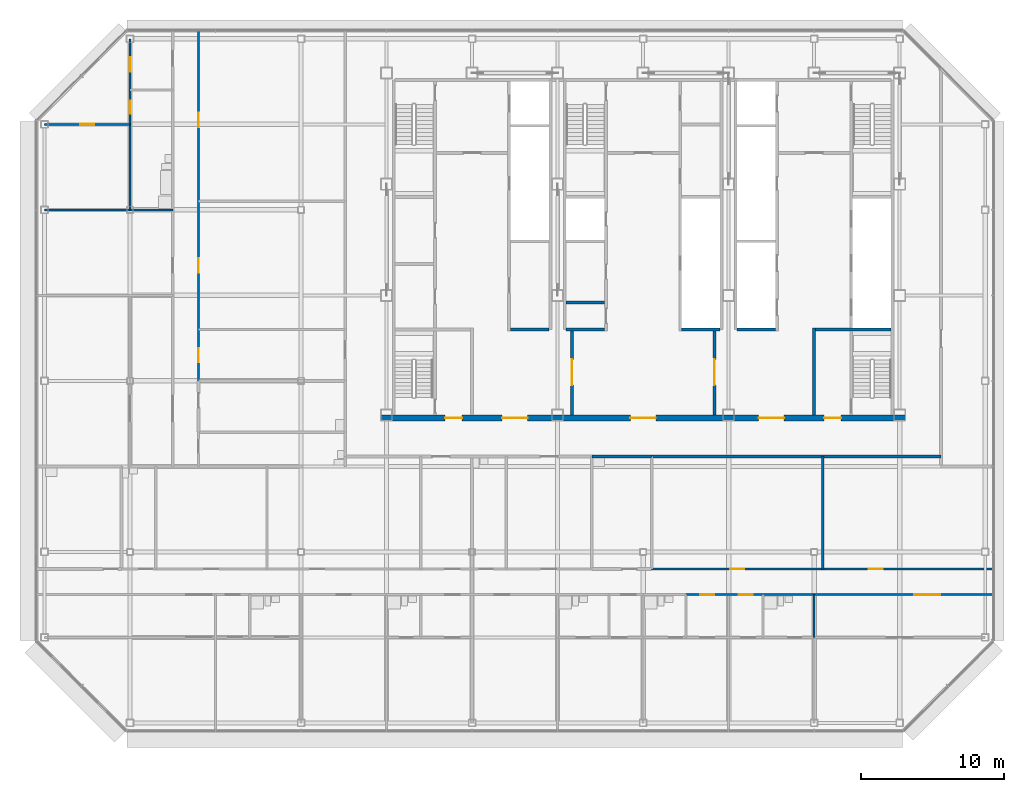
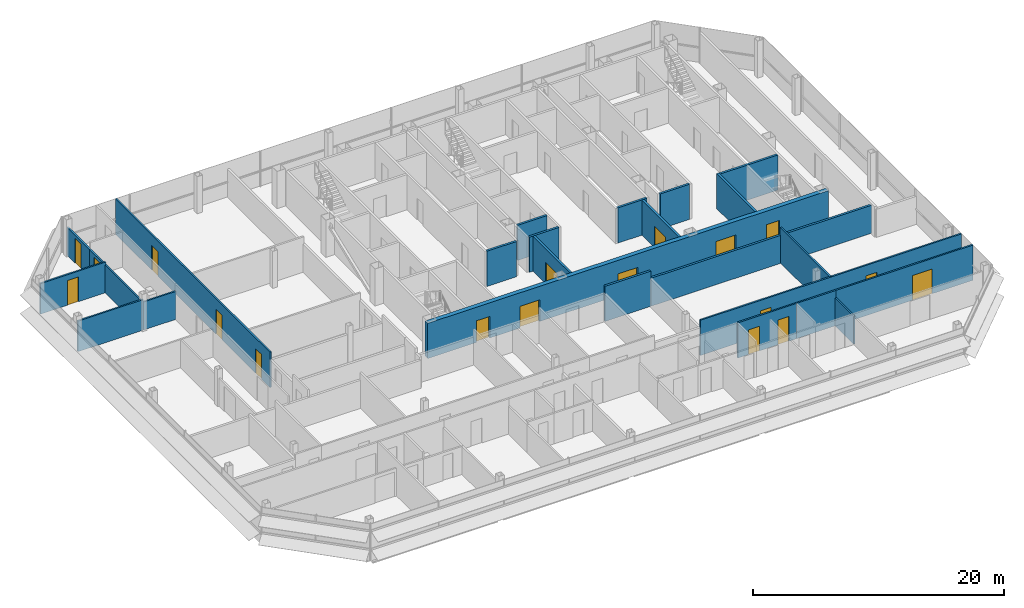
# One storey, part 23 of 28: 24 walls, 18 doors, 18 openings.
"""IFC4 building model written with IfcOpenShell, lengths in metres."""

from ifc_helpers import new_model, si_unit, direction, frame, frame_2d, origin, place, context, subcontext, project, spatial, rectangle, extrude, material, layer, layer_set, type_object, element, fill, save


model = new_model("IFC4")

# Units and contexts
model_context = context("Model", 3, precision=1e-05, world=origin(), true_north=direction((0.0, 1.0)))
body_context = subcontext(model_context, "Body", "Model", "MODEL_VIEW")
ifc_project = project(units=[si_unit("LENGTHUNIT", "METRE"), si_unit("AREAUNIT", "SQUARE_METRE"), si_unit("VOLUMEUNIT", "CUBIC_METRE"), si_unit("PLANEANGLEUNIT", "RADIAN"), si_unit("MASSUNIT", "GRAM", prefix="KILO")], contexts=[model_context])

# Site, building, storey
site_placement = place(None, origin())
site = spatial("IfcSite", under=ifc_project, at=site_placement, CompositionType="ELEMENT")
building_placement = place(site_placement, origin())
building = spatial("IfcBuilding", under=site, at=building_placement, Name="Sorahane Residences", CompositionType="ELEMENT")
storey_placement = place(building_placement, frame((0.0, 0.0, 305.199951171875)))
storey = spatial("IfcBuildingStorey", under=building, at=storey_placement, Name="L72", CompositionType="ELEMENT", Elevation=305.199951171875)

# Walls
ifc_material_1 = material(Name="Concrete blockwork C20 wall", Category="masonry")
ifc_layer_1 = layer(ifc_material_1, 0.199951171875)
ifc_layer_set_1 = layer_set([ifc_layer_1], Name="Corridor wall 200 EI 120")
wall_type_1 = type_object("IfcWallType", Name="Corridor wall 200 EI 120", PredefinedType="SOLIDWALL", material=ifc_layer_set_1)
wall_1_placement = place(storey_placement, frame((24.60009765625, 18.699951171875, 0.0), z_axis=(0.0, 0.0, 1.0), x_axis=(1.0, 0.0, 0.0)))
element("IfcWall", 1, at=wall_1_placement, inside=storey, type_object=wall_type_1, Name="L72 corridor wall", PredefinedType="SOLIDWALL", context=body_context, shape_type="SweptSolid", body=[
    extrude(rectangle(XDim=20.2998046875, YDim=0.199951171875, at=frame_2d((10.14990234375, 0.0))), origin(), (0.0, 0.0, 1.0), 2.719970703125),
])
ifc_material_2 = material(Name="Concrete C30", Category="concrete")
ifc_layer_2 = layer(ifc_material_2, 0.199951171875)
ifc_layer_set_2 = layer_set([ifc_layer_2], Name="Front room wall 200 EI 120")
wall_type_2 = type_object("IfcWallType", Name="Front room wall 200 EI 120", PredefinedType="PARTITIONING", material=ifc_layer_set_2)
wall_2_placement = place(storey_placement, frame((36.0, 21.60009765625, 0.0), z_axis=(0.0, 0.0, 1.0), x_axis=(0.0, 1.0, 0.0)))
element("IfcWall", 2, at=wall_2_placement, inside=storey, type_object=wall_type_2, Name="L72 front room wall", PredefinedType="PARTITIONING", context=body_context, shape_type="SweptSolid", body=[
    extrude(rectangle(XDim=6.099853515625, YDim=0.199951171875, at=frame_2d((3.0498046875, 0.0))), origin(), (0.0, 0.0, 1.0), 3.420166015625),
])
ifc_material_3 = material(Name="Concrete blockwork C20 wall", Category="masonry")
ifc_layer_3 = layer(ifc_material_3, 0.199951171875)
ifc_layer_set_3 = layer_set([ifc_layer_3], Name="Kitchen wall 200 EI 180")
wall_type_3 = type_object("IfcWallType", Name="Kitchen wall 200 EI 180", PredefinedType="SOLIDWALL", material=ifc_layer_set_3)
wall_3_placement = place(storey_placement, frame((20.39990234375, 18.699951171875, 0.0), z_axis=(0.0, 0.0, 1.0), x_axis=(1.0, 0.0, 0.0)))
element("IfcWall", 3, at=wall_3_placement, inside=storey, type_object=wall_type_3, Name="L72 kitchen wall", PredefinedType="SOLIDWALL", context=body_context, shape_type="SweptSolid", body=[
    extrude(rectangle(XDim=4.2001953125, YDim=0.199951171875, at=frame_2d((2.10009765625, 0.0))), origin(), (0.0, 0.0, 1.0), 3.420166015625),
])
ifc_material_4 = material(Name="Concrete C30", Category="concrete")
ifc_layer_4 = layer(ifc_material_4, 0.199951171875)
ifc_layer_set_4 = layer_set([ifc_layer_4], Name="Lift shaft wall 200 EI 120")
wall_type_4 = type_object("IfcWallType", Name="Lift shaft wall 200 EI 120", PredefinedType="SOLIDWALL", material=ifc_layer_set_4)
wall_4_placement = place(storey_placement, frame((30.60009765625, 27.60009765625, 0.0), z_axis=(0.0, 0.0, 1.0), x_axis=(1.0, 0.0, 0.0)))
element("IfcWall", 4, at=wall_4_placement, inside=storey, type_object=wall_type_4, Name="L72 lift shaft wall", PredefinedType="SOLIDWALL", context=body_context, shape_type="SweptSolid", body=[
    extrude(rectangle(XDim=2.699951171875, YDim=0.199951171875, at=frame_2d((1.35009765625, 0.0))), origin(), (0.0, 0.0, 1.0), 3.420166015625),
])

# Wall, opening, door
ifc_material_5 = material(Name="Gypsum board partition on steel studs", Category="steel")
ifc_layer_5 = layer(ifc_material_5, 0.14990234375)
ifc_layer_set_5 = layer_set([ifc_layer_5], Name="Partition 150 EI 90")
wall_type_5 = type_object("IfcWallType", Name="Partition 150 EI 90", PredefinedType="PARTITIONING", material=ifc_layer_set_5)
wall_5_placement = place(storey_placement, frame((-12.0, 44.39990234375, 0.0), z_axis=(0.0, 0.0, 1.0), x_axis=(0.0, 1.0, 0.0)))
wall_5 = element("IfcWall", 5, at=wall_5_placement, inside=storey, type_object=wall_type_5, Name="L72 partition", PredefinedType="PARTITIONING", context=body_context, shape_type="SweptSolid", body=[
    extrude(rectangle(XDim=3.60009765625, YDim=0.14990234375, at=frame_2d((1.800048828125, 0.0))), origin(), (0.0, 0.0, 1.0), 2.719970703125),
])
opening_1_placement = place(wall_5_placement, frame((1.300048828125, 0.0, 0.0)))
opening_1 = element("IfcOpeningElement", 6, at=opening_1_placement, cuts=wall_5, Name="Opening L72-41", PredefinedType="OPENING", context=body_context, shape_type="SweptSolid", body=[
    extrude(rectangle(XDim=1.0, YDim=2.39990234375, at=frame_2d((0.5, 1.199951171875))), frame((0.0, 0.0849609375, 0.0), z_axis=(0.0, -1.0, 0.0), x_axis=(1.0, 0.0, 0.0)), (0.0, 0.0, 1.0), 0.169921875),
])
ifc_material_6 = material(Name="Timber veneered fire door", Category="wood")
door_type_1 = type_object("IfcDoorType", Name="Room door 1000x2400 FD30", OperationType="NOTDEFINED", PredefinedType="DOOR", material=ifc_material_6)
door_1_placement = place(opening_1_placement, origin())
door_1 = element("IfcDoor", 7, at=door_1_placement, inside=storey, type_object=door_type_1, Name="Room door L72-41", OperationType="SINGLE_SWING_LEFT", OverallHeight=2.39990234375, OverallWidth=1.0, PredefinedType="DOOR", context=body_context, shape_type="SweptSolid", body=[
    extrude(rectangle(XDim=1.0, YDim=2.39990234375, at=frame_2d((0.5, 1.199951171875))), frame((0.0, 0.02490234375, 0.0), z_axis=(0.0, -1.0, 0.0), x_axis=(1.0, 0.0, 0.0)), (0.0, 0.0, 1.0), 0.050048828125),
])
fill(opening_1, door_1)

# Wall, openings, doors
wall_6_placement = place(storey_placement, frame((-7.199951171875, 24.0, 0.0), z_axis=(0.0, 0.0, 1.0), x_axis=(0.0, 1.0, 0.0)))
wall_6 = element("IfcWall", 8, at=wall_6_placement, inside=storey, type_object=wall_type_5, Name="L72 partition", PredefinedType="PARTITIONING", context=body_context, shape_type="SweptSolid", body=[
    extrude(rectangle(XDim=24.60009765625, YDim=0.14990234375, at=frame_2d((12.300048828125, 0.0))), origin(), (0.0, 0.0, 1.0), 3.420166015625),
])
opening_2_placement = place(wall_6_placement, frame((1.300048828125, 0.0, 0.0)))
opening_2 = element("IfcOpeningElement", 9, at=opening_2_placement, cuts=wall_6, Name="Opening L72-32", PredefinedType="OPENING", context=body_context, shape_type="SweptSolid", body=[
    extrude(rectangle(XDim=1.0, YDim=2.39990234375, at=frame_2d((0.5, 1.199951171875))), frame((0.0, 0.0849609375, 0.0), z_axis=(0.0, -1.0, 0.0), x_axis=(1.0, 0.0, 0.0)), (0.0, 0.0, 1.0), 0.169921875),
])
opening_3_placement = place(wall_6_placement, frame((7.60009765625, 0.0, 0.0)))
opening_3 = element("IfcOpeningElement", 10, at=opening_3_placement, cuts=wall_6, Name="Opening L72-35", PredefinedType="OPENING", context=body_context, shape_type="SweptSolid", body=[
    extrude(rectangle(XDim=1.0, YDim=2.39990234375, at=frame_2d((0.5, 1.199951171875))), frame((0.0, 0.0849609375, 0.0), z_axis=(0.0, -1.0, 0.0), x_axis=(1.0, 0.0, 0.0)), (0.0, 0.0, 1.0), 0.169921875),
])
opening_4_placement = place(wall_6_placement, frame((17.800048828125, 0.0, 0.0)))
opening_4 = element("IfcOpeningElement", 11, at=opening_4_placement, cuts=wall_6, Name="Opening L72-36", PredefinedType="OPENING", context=body_context, shape_type="SweptSolid", body=[
    extrude(rectangle(XDim=1.0, YDim=2.39990234375, at=frame_2d((0.5, 1.199951171875))), frame((0.0, 0.0849609375, 0.0), z_axis=(0.0, -1.0, 0.0), x_axis=(1.0, 0.0, 0.0)), (0.0, 0.0, 1.0), 0.169921875),
])
door_2_placement = place(opening_2_placement, origin())
door_2 = element("IfcDoor", 12, at=door_2_placement, inside=storey, type_object=door_type_1, Name="Room door L72-32", OperationType="SINGLE_SWING_RIGHT", OverallHeight=2.39990234375, OverallWidth=1.0, PredefinedType="DOOR", context=body_context, shape_type="SweptSolid", body=[
    extrude(rectangle(XDim=1.0, YDim=2.39990234375, at=frame_2d((0.5, 1.199951171875))), frame((0.0, 0.02490234375, 0.0), z_axis=(0.0, -1.0, 0.0), x_axis=(1.0, 0.0, 0.0)), (0.0, 0.0, 1.0), 0.050048828125),
])
fill(opening_2, door_2)
door_3_placement = place(opening_3_placement, frame((1.0, 0.0, 0.0), z_axis=(0.0, 0.0, 1.0), x_axis=(-1.0, 0.0, 0.0)))
door_3 = element("IfcDoor", 13, at=door_3_placement, inside=storey, type_object=door_type_1, Name="Room door L72-35", OperationType="SINGLE_SWING_RIGHT", OverallHeight=2.39990234375, OverallWidth=1.0, PredefinedType="DOOR", context=body_context, shape_type="SweptSolid", body=[
    extrude(rectangle(XDim=1.0, YDim=2.39990234375, at=frame_2d((0.5, 1.199951171875))), frame((0.0, 0.02490234375, 0.0), z_axis=(0.0, -1.0, 0.0), x_axis=(1.0, 0.0, 0.0)), (0.0, 0.0, 1.0), 0.050048828125),
])
fill(opening_3, door_3)
door_4_placement = place(opening_4_placement, frame((1.0, 0.0, 0.0), z_axis=(0.0, 0.0, 1.0), x_axis=(-1.0, 0.0, 0.0)))
door_4 = element("IfcDoor", 14, at=door_4_placement, inside=storey, type_object=door_type_1, Name="Room door L72-36", OperationType="SINGLE_SWING_LEFT", OverallHeight=2.39990234375, OverallWidth=1.0, PredefinedType="DOOR", context=body_context, shape_type="SweptSolid", body=[
    extrude(rectangle(XDim=1.0, YDim=2.39990234375, at=frame_2d((0.5, 1.199951171875))), frame((0.0, 0.02490234375, 0.0), z_axis=(0.0, -1.0, 0.0), x_axis=(1.0, 0.0, 0.0)), (0.0, 0.0, 1.0), 0.050048828125),
])
fill(opening_4, door_4)

# Wall
wall_7_placement = place(storey_placement, frame((36.60009765625, 10.800048828125, 0.0), z_axis=(0.0, 0.0, 1.0), x_axis=(0.0, 1.0, 0.0)))
element("IfcWall", 15, at=wall_7_placement, inside=storey, type_object=wall_type_5, Name="L72 partition", PredefinedType="PARTITIONING", context=body_context, shape_type="SweptSolid", body=[
    extrude(rectangle(XDim=7.89990234375, YDim=0.14990234375, at=frame_2d((3.949951171875, 0.0))), origin(), (0.0, 0.0, 1.0), 3.420166015625),
])

# Wall, openings, doors
wall_8_placement = place(storey_placement, frame((24.60009765625, 10.800048828125, 0.0), z_axis=(0.0, 0.0, 1.0), x_axis=(1.0, 0.0, 0.0)))
wall_8 = element("IfcWall", 16, at=wall_8_placement, inside=storey, type_object=wall_type_5, Name="L72 partition", PredefinedType="PARTITIONING", context=body_context, shape_type="SweptSolid", body=[
    extrude(rectangle(XDim=24.0, YDim=0.14990234375, at=frame_2d((12.0, 0.0))), origin(), (0.0, 0.0, 1.0), 3.420166015625),
])
opening_5_placement = place(wall_8_placement, frame((5.5, 0.0, 0.0)))
opening_5 = element("IfcOpeningElement", 17, at=opening_5_placement, cuts=wall_8, Name="Opening L72-18", PredefinedType="OPENING", context=body_context, shape_type="SweptSolid", body=[
    extrude(rectangle(XDim=1.0, YDim=2.39990234375, at=frame_2d((0.5, 1.199951171875))), frame((0.0, 0.0849609375, 0.0), z_axis=(0.0, -1.0, 0.0), x_axis=(1.0, 0.0, 0.0)), (0.0, 0.0, 1.0), 0.169921875),
])
opening_6_placement = place(wall_8_placement, frame((15.219970703125, 0.0, 0.0)))
opening_6 = element("IfcOpeningElement", 18, at=opening_6_placement, cuts=wall_8, Name="Opening L72-19", PredefinedType="OPENING", context=body_context, shape_type="SweptSolid", body=[
    extrude(rectangle(XDim=1.0, YDim=2.39990234375, at=frame_2d((0.5, 1.199951171875))), frame((0.0, 0.0849609375, 0.0), z_axis=(0.0, -1.0, 0.0), x_axis=(1.0, 0.0, 0.0)), (0.0, 0.0, 1.0), 0.169921875),
])
door_5_placement = place(opening_5_placement, origin())
door_5 = element("IfcDoor", 19, at=door_5_placement, inside=storey, type_object=door_type_1, Name="Room door L72-18", OperationType="SINGLE_SWING_RIGHT", OverallHeight=2.39990234375, OverallWidth=1.0, PredefinedType="DOOR", context=body_context, shape_type="SweptSolid", body=[
    extrude(rectangle(XDim=1.0, YDim=2.39990234375, at=frame_2d((0.5, 1.199951171875))), frame((0.0, 0.02490234375, 0.0), z_axis=(0.0, -1.0, 0.0), x_axis=(1.0, 0.0, 0.0)), (0.0, 0.0, 1.0), 0.050048828125),
])
fill(opening_5, door_5)
door_6_placement = place(opening_6_placement, origin())
door_6 = element("IfcDoor", 20, at=door_6_placement, inside=storey, type_object=door_type_1, Name="Room door L72-19", OperationType="SINGLE_SWING_RIGHT", OverallHeight=2.39990234375, OverallWidth=1.0, PredefinedType="DOOR", context=body_context, shape_type="SweptSolid", body=[
    extrude(rectangle(XDim=1.0, YDim=2.39990234375, at=frame_2d((0.5, 1.199951171875))), frame((0.0, 0.02490234375, 0.0), z_axis=(0.0, -1.0, 0.0), x_axis=(1.0, 0.0, 0.0)), (0.0, 0.0, 1.0), 0.050048828125),
])
fill(opening_6, door_6)

# Wall
wall_9_placement = place(storey_placement, frame((-18.0, 36.0, 0.0), z_axis=(0.0, 0.0, 1.0), x_axis=(1.0, 0.0, 0.0)))
element("IfcWall", 21, at=wall_9_placement, inside=storey, type_object=wall_type_5, Name="L72 partition", PredefinedType="PARTITIONING", context=body_context, shape_type="SweptSolid", body=[
    extrude(rectangle(XDim=6.0, YDim=0.14990234375, at=frame_2d((3.0, 0.0))), origin(), (0.0, 0.0, 1.0), 2.969970703125),
])

# Wall, opening, door
wall_10_placement = place(storey_placement, frame((-18.0, 42.0, 0.0), z_axis=(0.0, 0.0, 1.0), x_axis=(1.0, 0.0, 0.0)))
wall_10 = element("IfcWall", 22, at=wall_10_placement, inside=storey, type_object=wall_type_5, Name="L72 partition", PredefinedType="PARTITIONING", context=body_context, shape_type="SweptSolid", body=[
    extrude(rectangle(XDim=6.0, YDim=0.14990234375, at=frame_2d((3.0, 0.0))), origin(), (0.0, 0.0, 1.0), 2.969970703125),
])
opening_7_placement = place(wall_10_placement, frame((2.5, 0.0, 0.0)))
opening_7 = element("IfcOpeningElement", 23, at=opening_7_placement, cuts=wall_10, Name="Opening L72-42", PredefinedType="OPENING", context=body_context, shape_type="SweptSolid", body=[
    extrude(rectangle(XDim=1.0, YDim=2.39990234375, at=frame_2d((0.5, 1.199951171875))), frame((0.0, 0.0849609375, 0.0), z_axis=(0.0, -1.0, 0.0), x_axis=(1.0, 0.0, 0.0)), (0.0, 0.0, 1.0), 0.169921875),
])
door_7_placement = place(opening_7_placement, frame((1.0, 0.0, 0.0), z_axis=(0.0, 0.0, 1.0), x_axis=(-1.0, 0.0, 0.0)))
door_7 = element("IfcDoor", 24, at=door_7_placement, inside=storey, type_object=door_type_1, Name="Room door L72-42", OperationType="SINGLE_SWING_LEFT", OverallHeight=2.39990234375, OverallWidth=1.0, PredefinedType="DOOR", context=body_context, shape_type="SweptSolid", body=[
    extrude(rectangle(XDim=1.0, YDim=2.39990234375, at=frame_2d((0.5, 1.199951171875))), frame((0.0, 0.02490234375, 0.0), z_axis=(0.0, -1.0, 0.0), x_axis=(1.0, 0.0, 0.0)), (0.0, 0.0, 1.0), 0.050048828125),
])
fill(opening_7, door_7)

# Wall, openings, doors
wall_11_placement = place(storey_placement, frame((27.0, 9.0, 0.0), z_axis=(0.0, 0.0, 1.0), x_axis=(1.0, 0.0, 0.0)))
wall_11 = element("IfcWall", 25, at=wall_11_placement, inside=storey, type_object=wall_type_5, Name="L72 partition", PredefinedType="PARTITIONING", context=body_context, shape_type="SweptSolid", body=[
    extrude(rectangle(XDim=5.39990234375, YDim=0.14990234375, at=frame_2d((2.699951171875, 0.0))), origin(), (0.0, 0.0, 1.0), 3.420166015625),
])
opening_8_placement = place(wall_11_placement, frame((1.0, 0.0, 0.0)))
opening_8 = element("IfcOpeningElement", 26, at=opening_8_placement, cuts=wall_11, Name="Opening L72-22", PredefinedType="OPENING", context=body_context, shape_type="SweptSolid", body=[
    extrude(rectangle(XDim=1.0, YDim=2.39990234375, at=frame_2d((0.5, 1.199951171875))), frame((0.0, 0.0849609375, 0.0), z_axis=(0.0, -1.0, 0.0), x_axis=(1.0, 0.0, 0.0)), (0.0, 0.0, 1.0), 0.169921875),
])
opening_9_placement = place(wall_11_placement, frame((3.699951171875, 0.0, 0.0)))
opening_9 = element("IfcOpeningElement", 27, at=opening_9_placement, cuts=wall_11, Name="Opening L72-23", PredefinedType="OPENING", context=body_context, shape_type="SweptSolid", body=[
    extrude(rectangle(XDim=1.0, YDim=2.39990234375, at=frame_2d((0.5, 1.199951171875))), frame((0.0, 0.0849609375, 0.0), z_axis=(0.0, -1.0, 0.0), x_axis=(1.0, 0.0, 0.0)), (0.0, 0.0, 1.0), 0.169921875),
])
door_8_placement = place(opening_8_placement, frame((1.0, 0.0, 0.0), z_axis=(0.0, 0.0, 1.0), x_axis=(-1.0, 0.0, 0.0)))
door_8 = element("IfcDoor", 28, at=door_8_placement, inside=storey, type_object=door_type_1, Name="Room door L72-22", OperationType="SINGLE_SWING_LEFT", OverallHeight=2.39990234375, OverallWidth=1.0, PredefinedType="DOOR", context=body_context, shape_type="SweptSolid", body=[
    extrude(rectangle(XDim=1.0, YDim=2.39990234375, at=frame_2d((0.5, 1.199951171875))), frame((0.0, 0.02490234375, 0.0), z_axis=(0.0, -1.0, 0.0), x_axis=(1.0, 0.0, 0.0)), (0.0, 0.0, 1.0), 0.050048828125),
])
fill(opening_8, door_8)
door_9_placement = place(opening_9_placement, frame((1.0, 0.0, 0.0), z_axis=(0.0, 0.0, 1.0), x_axis=(-1.0, 0.0, 0.0)))
door_9 = element("IfcDoor", 29, at=door_9_placement, inside=storey, type_object=door_type_1, Name="Room door L72-23", OperationType="SINGLE_SWING_LEFT", OverallHeight=2.39990234375, OverallWidth=1.0, PredefinedType="DOOR", context=body_context, shape_type="SweptSolid", body=[
    extrude(rectangle(XDim=1.0, YDim=2.39990234375, at=frame_2d((0.5, 1.199951171875))), frame((0.0, 0.02490234375, 0.0), z_axis=(0.0, -1.0, 0.0), x_axis=(1.0, 0.0, 0.0)), (0.0, 0.0, 1.0), 0.050048828125),
])
fill(opening_9, door_9)

# Wall, opening, door
wall_12_placement = place(storey_placement, frame((36.0, 9.0, 0.0), z_axis=(0.0, 0.0, 1.0), x_axis=(1.0, 0.0, 0.0)))
wall_12 = element("IfcWall", 30, at=wall_12_placement, inside=storey, type_object=wall_type_5, Name="L72 partition", PredefinedType="PARTITIONING", context=body_context, shape_type="SweptSolid", body=[
    extrude(rectangle(XDim=12.60009765625, YDim=0.14990234375, at=frame_2d((6.300048828125, 0.0))), origin(), (0.0, 0.0, 1.0), 3.420166015625),
])
opening_10_placement = place(wall_12_placement, frame((7.0400390625, 0.0, 0.0)))
opening_10 = element("IfcOpeningElement", 31, at=opening_10_placement, cuts=wall_12, Name="Opening L72-24", PredefinedType="OPENING", context=body_context, shape_type="SweptSolid", body=[
    extrude(rectangle(XDim=1.800048828125, YDim=2.39990234375, at=frame_2d((0.89990234375, 1.199951171875))), frame((0.0, 0.0849609375, 0.0), z_axis=(0.0, -1.0, 0.0), x_axis=(1.0, 0.0, 0.0)), (0.0, 0.0, 1.0), 0.169921875),
])
ifc_material_7 = material(Name="Timber veneered fire door", Category="wood")
door_type_2 = type_object("IfcDoorType", Name="Double door 1800x2400 FD30", OperationType="NOTDEFINED", PredefinedType="DOOR", material=ifc_material_7)
door_10_placement = place(opening_10_placement, frame((1.800048828125, 0.0, 0.0), z_axis=(0.0, 0.0, 1.0), x_axis=(-1.0, 0.0, 0.0)))
door_10 = element("IfcDoor", 32, at=door_10_placement, inside=storey, type_object=door_type_2, Name="Double door L72-24", OperationType="SINGLE_SWING_LEFT", OverallHeight=2.39990234375, OverallWidth=1.800048828125, PredefinedType="DOOR", context=body_context, shape_type="SweptSolid", body=[
    extrude(rectangle(XDim=1.800048828125, YDim=2.39990234375, at=frame_2d((0.89990234375, 1.199951171875))), frame((0.0, 0.02490234375, 0.0), z_axis=(0.0, -1.0, 0.0), x_axis=(1.0, 0.0, 0.0)), (0.0, 0.0, 1.0), 0.050048828125),
])
fill(opening_10, door_10)

# Wall
ifc_material_8 = material(Name="Concrete C30", Category="concrete")
ifc_layer_6 = layer(ifc_material_8, 0.199951171875)
ifc_layer_set_6 = layer_set([ifc_layer_6], Name="Riser shaft wall 200 EI 120")
wall_type_6 = type_object("IfcWallType", Name="Riser shaft wall 200 EI 120", PredefinedType="SOLIDWALL", material=ifc_layer_set_6)
wall_13_placement = place(storey_placement, frame((26.699951171875, 27.60009765625, 0.0), z_axis=(0.0, 0.0, 1.0), x_axis=(1.0, 0.0, 0.0)))
element("IfcWall", 33, at=wall_13_placement, inside=storey, type_object=wall_type_6, Name="L72 riser wall", PredefinedType="SOLIDWALL", context=body_context, shape_type="SweptSolid", body=[
    extrude(rectangle(XDim=2.699951171875, YDim=0.199951171875, at=frame_2d((1.35009765625, 0.0))), origin(), (0.0, 0.0, 1.0), 3.420166015625),
])

# Wall, opening, door
ifc_material_9 = material(Name="Concrete C30", Category="concrete")
ifc_layer_7 = layer(ifc_material_9, 0.199951171875)
ifc_layer_set_7 = layer_set([ifc_layer_7], Name="Service room partition 200 EI 60")
wall_type_7 = type_object("IfcWallType", Name="Service room partition 200 EI 60", PredefinedType="PARTITIONING", material=ifc_layer_set_7)
wall_14_placement = place(storey_placement, frame((19.0, 21.60009765625, 0.0), z_axis=(0.0, 0.0, 1.0), x_axis=(0.0, 1.0, 0.0)))
wall_14 = element("IfcWall", 34, at=wall_14_placement, inside=storey, type_object=wall_type_7, Name="L72 service room wall", PredefinedType="PARTITIONING", context=body_context, shape_type="SweptSolid", body=[
    extrude(rectangle(XDim=6.0, YDim=0.199951171875, at=frame_2d((3.0, 0.0))), origin(), (0.0, 0.0, 1.0), 3.420166015625),
])
opening_11_placement = place(wall_14_placement, frame((2.10009765625, 0.0, 0.0)))
opening_11 = element("IfcOpeningElement", 35, at=opening_11_placement, cuts=wall_14, Name="Opening L72-C02", PredefinedType="OPENING", context=body_context, shape_type="SweptSolid", body=[
    extrude(rectangle(XDim=1.800048828125, YDim=2.10009765625, at=frame_2d((0.89990234375, 1.050048828125))), frame((0.0, 0.10986328125, 0.0), z_axis=(0.0, -1.0, 0.0), x_axis=(1.0, 0.0, 0.0)), (0.0, 0.0, 1.0), 0.219970703125),
])
ifc_material_10 = material(Name="Steel", Category="steel")
door_type_3 = type_object("IfcDoorType", Name="Waiting hall door 1800x2100 FD60", OperationType="NOTDEFINED", PredefinedType="DOOR", material=ifc_material_10)
door_11_placement = place(opening_11_placement, origin())
door_11 = element("IfcDoor", 36, at=door_11_placement, inside=storey, type_object=door_type_3, Name="Waiting hall door Residents' waiting hall west L72", OperationType="SINGLE_SWING_LEFT", OverallHeight=2.10009765625, OverallWidth=1.800048828125, PredefinedType="DOOR", context=body_context, shape_type="SweptSolid", body=[
    extrude(rectangle(XDim=1.800048828125, YDim=2.10009765625, at=frame_2d((0.89990234375, 1.050048828125))), frame((0.0, 0.02490234375, 0.0), z_axis=(0.0, -1.0, 0.0), x_axis=(1.0, 0.0, 0.0)), (0.0, 0.0, 1.0), 0.050048828125),
])
fill(opening_11, door_11)

wall_15_placement = place(storey_placement, frame((29.0, 21.60009765625, 0.0), z_axis=(0.0, 0.0, 1.0), x_axis=(0.0, 1.0, 0.0)))
wall_15 = element("IfcWall", 37, at=wall_15_placement, inside=storey, type_object=wall_type_7, Name="L72 service room wall", PredefinedType="PARTITIONING", context=body_context, shape_type="SweptSolid", body=[
    extrude(rectangle(XDim=6.0, YDim=0.199951171875, at=frame_2d((3.0, 0.0))), origin(), (0.0, 0.0, 1.0), 3.420166015625),
])
opening_12_placement = place(wall_15_placement, frame((2.10009765625, 0.0, 0.0)))
opening_12 = element("IfcOpeningElement", 38, at=opening_12_placement, cuts=wall_15, Name="Opening L72-C04", PredefinedType="OPENING", context=body_context, shape_type="SweptSolid", body=[
    extrude(rectangle(XDim=1.800048828125, YDim=2.10009765625, at=frame_2d((0.89990234375, 1.050048828125))), frame((0.0, 0.10986328125, 0.0), z_axis=(0.0, -1.0, 0.0), x_axis=(1.0, 0.0, 0.0)), (0.0, 0.0, 1.0), 0.219970703125),
])
door_12_placement = place(opening_12_placement, origin())
door_12 = element("IfcDoor", 39, at=door_12_placement, inside=storey, type_object=door_type_3, Name="Waiting hall door Residents' waiting hall centre L72", OperationType="SINGLE_SWING_LEFT", OverallHeight=2.10009765625, OverallWidth=1.800048828125, PredefinedType="DOOR", context=body_context, shape_type="SweptSolid", body=[
    extrude(rectangle(XDim=1.800048828125, YDim=2.10009765625, at=frame_2d((0.89990234375, 1.050048828125))), frame((0.0, 0.02490234375, 0.0), z_axis=(0.0, -1.0, 0.0), x_axis=(1.0, 0.0, 0.0)), (0.0, 0.0, 1.0), 0.050048828125),
])
fill(opening_12, door_12)

# Walls
for number, where, z_axis, x_axis, name in (
    (40, (14.699951171875, 27.60009765625, 0.0), (0.0, 0.0, 1.0), (1.0, 0.0, 0.0), "L72 service room wall"),
    (41, (18.60009765625, 27.60009765625, 0.0), (0.0, 0.0, 1.0), (1.0, 0.0, 0.0), "L72 service room wall"),
    (42, (18.60009765625, 29.5, 0.0), (0.0, 0.0, 1.0), (1.0, 0.0, 0.0), "L72 service room wall"),
):
    element("IfcWall", number, at=place(storey_placement, frame(where, z_axis=z_axis, x_axis=x_axis)), inside=storey, type_object=wall_type_7, Name=name, PredefinedType="PARTITIONING", context=body_context, shape_type="SweptSolid", body=[
        extrude(rectangle(XDim=2.699951171875, YDim=0.199951171875, at=frame_2d((1.35009765625, 0.0))), origin(), (0.0, 0.0, 1.0), 3.420166015625),
    ])
ifc_material_11 = material(Name="Concrete C30", Category="concrete")
ifc_layer_8 = layer(ifc_material_11, 0.199951171875)
ifc_layer_set_8 = layer_set([ifc_layer_8], Name="Stair enclosure wall 200 EI 120")
wall_type_8 = type_object("IfcWallType", Name="Stair enclosure wall 200 EI 120", PredefinedType="SOLIDWALL", material=ifc_layer_set_8)
wall_16_placement = place(storey_placement, frame((36.10009765625, 27.60009765625, 0.0), z_axis=(0.0, 0.0, 1.0), x_axis=(1.0, 0.0, 0.0)))
element("IfcWall", 43, at=wall_16_placement, inside=storey, type_object=wall_type_8, Name="L72 stair enclosure wall", PredefinedType="SOLIDWALL", context=body_context, shape_type="SweptSolid", body=[
    extrude(rectangle(XDim=5.2998046875, YDim=0.199951171875, at=frame_2d((2.64990234375, 0.0))), origin(), (0.0, 0.0, 1.0), 3.420166015625),
])

# Wall, openings, doors
ifc_material_12 = material(Name="Concrete C30", Category="concrete")
ifc_layer_9 = layer(ifc_material_12, 0.39990234375)
ifc_layer_set_9 = layer_set([ifc_layer_9], Name="Waiting hall wall 400 EI 120")
wall_type_9 = type_object("IfcWallType", Name="Waiting hall wall 400 EI 120", PredefinedType="SOLIDWALL", material=ifc_layer_set_9)
wall_17_placement = place(storey_placement, frame((5.60009765625, 21.39990234375, 0.0), z_axis=(0.0, 0.0, 1.0), x_axis=(1.0, 0.0, 0.0)))
wall_17 = element("IfcWall", 44, at=wall_17_placement, inside=storey, type_object=wall_type_9, Name="L72 waiting hall wall", PredefinedType="SOLIDWALL", context=body_context, shape_type="SweptSolid", body=[
    extrude(rectangle(XDim=36.7998046875, YDim=0.39990234375, at=frame_2d((18.39990234375, 0.0))), origin(), (0.0, 0.0, 1.0), 3.420166015625),
])
opening_13_placement = place(wall_17_placement, frame((8.5, 0.0, 0.0)))
opening_13 = element("IfcOpeningElement", 45, at=opening_13_placement, cuts=wall_17, Name="Opening L72-C01", PredefinedType="OPENING", context=body_context, shape_type="SweptSolid", body=[
    extrude(rectangle(XDim=1.800048828125, YDim=2.10009765625, at=frame_2d((0.89990234375, 1.050048828125))), frame((0.0, 0.2099609375, 0.0), z_axis=(0.0, -1.0, 0.0), x_axis=(1.0, 0.0, 0.0)), (0.0, 0.0, 1.0), 0.419921875),
])
opening_14_placement = place(wall_17_placement, frame((17.5, 0.0, 0.0)))
opening_14 = element("IfcOpeningElement", 46, at=opening_14_placement, cuts=wall_17, Name="Opening L72-C03", PredefinedType="OPENING", context=body_context, shape_type="SweptSolid", body=[
    extrude(rectangle(XDim=1.800048828125, YDim=2.10009765625, at=frame_2d((0.89990234375, 1.050048828125))), frame((0.0, 0.2099609375, 0.0), z_axis=(0.0, -1.0, 0.0), x_axis=(1.0, 0.0, 0.0)), (0.0, 0.0, 1.0), 0.419921875),
])
opening_15_placement = place(wall_17_placement, frame((26.5, 0.0, 0.0)))
opening_15 = element("IfcOpeningElement", 47, at=opening_15_placement, cuts=wall_17, Name="Opening L72-C05", PredefinedType="OPENING", context=body_context, shape_type="SweptSolid", body=[
    extrude(rectangle(XDim=1.800048828125, YDim=2.10009765625, at=frame_2d((0.89990234375, 1.050048828125))), frame((0.0, 0.2099609375, 0.0), z_axis=(0.0, -1.0, 0.0), x_axis=(1.0, 0.0, 0.0)), (0.0, 0.0, 1.0), 0.419921875),
])
opening_16_placement = place(wall_17_placement, frame((4.5, 0.0, 0.0)))
opening_16 = element("IfcOpeningElement", 48, at=opening_16_placement, cuts=wall_17, Name="Opening L72-C06", PredefinedType="OPENING", context=body_context, shape_type="SweptSolid", body=[
    extrude(rectangle(XDim=1.199951171875, YDim=2.10009765625, at=frame_2d((0.60009765625, 1.050048828125))), frame((0.0, 0.2099609375, 0.0), z_axis=(0.0, -1.0, 0.0), x_axis=(1.0, 0.0, 0.0)), (0.0, 0.0, 1.0), 0.419921875),
])
opening_17_placement = place(wall_17_placement, frame((31.10009765625, 0.0, 0.0)))
opening_17 = element("IfcOpeningElement", 49, at=opening_17_placement, cuts=wall_17, Name="Opening L72-C07", PredefinedType="OPENING", context=body_context, shape_type="SweptSolid", body=[
    extrude(rectangle(XDim=1.199951171875, YDim=2.10009765625, at=frame_2d((0.60009765625, 1.050048828125))), frame((0.0, 0.2099609375, 0.0), z_axis=(0.0, -1.0, 0.0), x_axis=(1.0, 0.0, 0.0)), (0.0, 0.0, 1.0), 0.419921875),
])
ifc_material_13 = material(Name="Steel", Category="steel")
door_type_4 = type_object("IfcDoorType", Name="Stair front room door 1200x2100 FD120", OperationType="NOTDEFINED", PredefinedType="DOOR", material=ifc_material_13)
door_13_placement = place(opening_16_placement, frame((1.199951171875, 0.0, 0.0), z_axis=(0.0, 0.0, 1.0), x_axis=(-1.0, 0.0, 0.0)))
door_13 = element("IfcDoor", 50, at=door_13_placement, inside=storey, type_object=door_type_4, Name="Stair front room door Stair S4 front room L72", OperationType="SINGLE_SWING_LEFT", OverallHeight=2.10009765625, OverallWidth=1.199951171875, PredefinedType="DOOR", context=body_context, shape_type="SweptSolid", body=[
    extrude(rectangle(XDim=1.199951171875, YDim=2.10009765625, at=frame_2d((0.60009765625, 1.050048828125))), frame((0.0, 0.02490234375, 0.0), z_axis=(0.0, -1.0, 0.0), x_axis=(1.0, 0.0, 0.0)), (0.0, 0.0, 1.0), 0.050048828125),
])
fill(opening_16, door_13)
door_14_placement = place(opening_17_placement, frame((1.199951171875, 0.0, 0.0), z_axis=(0.0, 0.0, 1.0), x_axis=(-1.0, 0.0, 0.0)))
door_14 = element("IfcDoor", 51, at=door_14_placement, inside=storey, type_object=door_type_4, Name="Stair front room door Stair S5 front room L72", OperationType="SINGLE_SWING_LEFT", OverallHeight=2.10009765625, OverallWidth=1.199951171875, PredefinedType="DOOR", context=body_context, shape_type="SweptSolid", body=[
    extrude(rectangle(XDim=1.199951171875, YDim=2.10009765625, at=frame_2d((0.60009765625, 1.050048828125))), frame((0.0, 0.02490234375, 0.0), z_axis=(0.0, -1.0, 0.0), x_axis=(1.0, 0.0, 0.0)), (0.0, 0.0, 1.0), 0.050048828125),
])
fill(opening_17, door_14)
door_15_placement = place(opening_13_placement, frame((1.800048828125, 0.0, 0.0), z_axis=(0.0, 0.0, 1.0), x_axis=(-1.0, 0.0, 0.0)))
door_15 = element("IfcDoor", 52, at=door_15_placement, inside=storey, type_object=door_type_3, Name="Waiting hall door Residents' waiting hall west L72", OperationType="SINGLE_SWING_LEFT", OverallHeight=2.10009765625, OverallWidth=1.800048828125, PredefinedType="DOOR", context=body_context, shape_type="SweptSolid", body=[
    extrude(rectangle(XDim=1.800048828125, YDim=2.10009765625, at=frame_2d((0.89990234375, 1.050048828125))), frame((0.0, 0.02490234375, 0.0), z_axis=(0.0, -1.0, 0.0), x_axis=(1.0, 0.0, 0.0)), (0.0, 0.0, 1.0), 0.050048828125),
])
fill(opening_13, door_15)
door_16_placement = place(opening_14_placement, frame((1.800048828125, 0.0, 0.0), z_axis=(0.0, 0.0, 1.0), x_axis=(-1.0, 0.0, 0.0)))
door_16 = element("IfcDoor", 53, at=door_16_placement, inside=storey, type_object=door_type_3, Name="Waiting hall door Residents' waiting hall centre L72", OperationType="SINGLE_SWING_LEFT", OverallHeight=2.10009765625, OverallWidth=1.800048828125, PredefinedType="DOOR", context=body_context, shape_type="SweptSolid", body=[
    extrude(rectangle(XDim=1.800048828125, YDim=2.10009765625, at=frame_2d((0.89990234375, 1.050048828125))), frame((0.0, 0.02490234375, 0.0), z_axis=(0.0, -1.0, 0.0), x_axis=(1.0, 0.0, 0.0)), (0.0, 0.0, 1.0), 0.050048828125),
])
fill(opening_14, door_16)
door_17_placement = place(opening_15_placement, frame((1.800048828125, 0.0, 0.0), z_axis=(0.0, 0.0, 1.0), x_axis=(-1.0, 0.0, 0.0)))
door_17 = element("IfcDoor", 54, at=door_17_placement, inside=storey, type_object=door_type_3, Name="Waiting hall door Residents' waiting hall east L72", OperationType="SINGLE_SWING_LEFT", OverallHeight=2.10009765625, OverallWidth=1.800048828125, PredefinedType="DOOR", context=body_context, shape_type="SweptSolid", body=[
    extrude(rectangle(XDim=1.800048828125, YDim=2.10009765625, at=frame_2d((0.89990234375, 1.050048828125))), frame((0.0, 0.02490234375, 0.0), z_axis=(0.0, -1.0, 0.0), x_axis=(1.0, 0.0, 0.0)), (0.0, 0.0, 1.0), 0.050048828125),
])
fill(opening_15, door_17)

# Wall, opening, door
ifc_material_14 = material(Name="Gypsum board partition on steel studs", Category="steel")
ifc_layer_10 = layer(ifc_material_14, 0.14990234375)
ifc_layer_set_10 = layer_set([ifc_layer_10], Name="Wet wall 150 EI 90")
wall_type_10 = type_object("IfcWallType", Name="Wet wall 150 EI 90", PredefinedType="PARTITIONING", material=ifc_layer_set_10)
wall_18_placement = place(storey_placement, frame((-12.0, 36.0, 0.0), z_axis=(0.0, 0.0, 1.0), x_axis=(0.0, 1.0, 0.0)))
wall_18 = element("IfcWall", 55, at=wall_18_placement, inside=storey, type_object=wall_type_10, Name="L72 wet wall", PredefinedType="PARTITIONING", context=body_context, shape_type="SweptSolid", body=[
    extrude(rectangle(XDim=8.39990234375, YDim=0.14990234375, at=frame_2d((4.199951171875, 0.0))), origin(), (0.0, 0.0, 1.0), 2.719970703125),
])
opening_18_placement = place(wall_18_placement, frame((6.75, 0.0, 0.0)))
opening_18 = element("IfcOpeningElement", 56, at=opening_18_placement, cuts=wall_18, Name="Opening L72-43", PredefinedType="OPENING", context=body_context, shape_type="SweptSolid", body=[
    extrude(rectangle(XDim=0.89990234375, YDim=2.39990234375, at=frame_2d((0.449951171875, 1.199951171875))), frame((0.0, 0.0849609375, 0.0), z_axis=(0.0, -1.0, 0.0), x_axis=(1.0, 0.0, 0.0)), (0.0, 0.0, 1.0), 0.169921875),
])
ifc_material_15 = material(Name="Timber veneered fire door", Category="wood")
door_type_5 = type_object("IfcDoorType", Name="Bathroom door 900x2400 FD30", OperationType="NOTDEFINED", PredefinedType="DOOR", material=ifc_material_15)
door_18_placement = place(opening_18_placement, origin())
door_18 = element("IfcDoor", 57, at=door_18_placement, inside=storey, type_object=door_type_5, Name="Bathroom door L72-43", OperationType="SINGLE_SWING_RIGHT", OverallHeight=2.39990234375, OverallWidth=0.89990234375, PredefinedType="DOOR", context=body_context, shape_type="SweptSolid", body=[
    extrude(rectangle(XDim=0.89990234375, YDim=2.39990234375, at=frame_2d((0.449951171875, 1.199951171875))), frame((0.0, 0.02490234375, 0.0), z_axis=(0.0, -1.0, 0.0), x_axis=(1.0, 0.0, 0.0)), (0.0, 0.0, 1.0), 0.050048828125),
])
fill(opening_18, door_18)

# Walls
for number, where, z_axis, x_axis, name in (
    (58, (36.0, 6.0, 0.0), (0.0, 0.0, 1.0), (0.0, 1.0, 0.0), "L72 wet wall"),
    (59, (-12.0, 36.0, 0.0), (0.0, 0.0, 1.0), (1.0, 0.0, 0.0), "L72 wet wall"),
):
    element("IfcWall", number, at=place(storey_placement, frame(where, z_axis=z_axis, x_axis=x_axis)), inside=storey, type_object=wall_type_10, Name=name, PredefinedType="PARTITIONING", context=body_context, shape_type="SweptSolid", body=[
        extrude(rectangle(XDim=3.0, YDim=0.14990234375, at=frame_2d((1.5, 0.0))), origin(), (0.0, 0.0, 1.0), 2.719970703125),
    ])
wall_19_placement = place(storey_placement, frame((32.39990234375, 9.0, 0.0), z_axis=(0.0, 0.0, 1.0), x_axis=(1.0, 0.0, 0.0)))
element("IfcWall", 60, at=wall_19_placement, inside=storey, type_object=wall_type_10, Name="L72 wet wall", PredefinedType="PARTITIONING", context=body_context, shape_type="SweptSolid", body=[
    extrude(rectangle(XDim=3.60009765625, YDim=0.14990234375, at=frame_2d((1.800048828125, 0.0))), origin(), (0.0, 0.0, 1.0), 3.420166015625),
])

save(model, "model.ifc")
